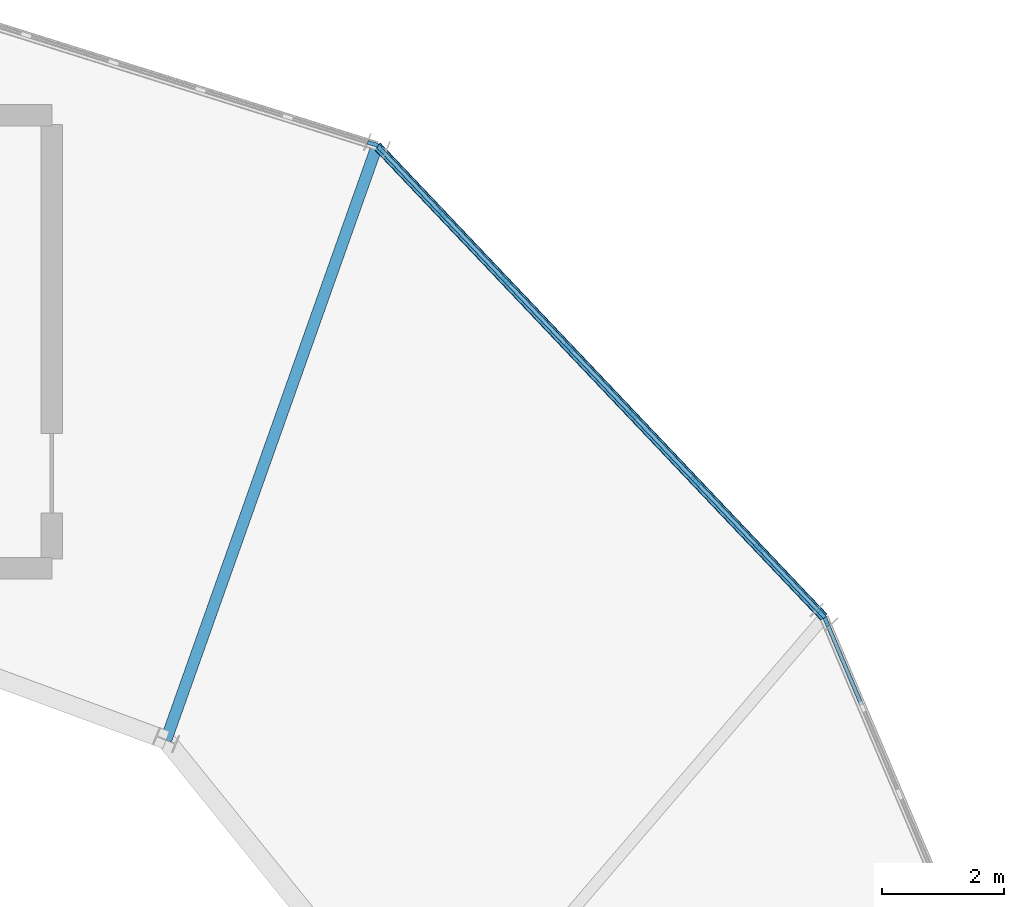
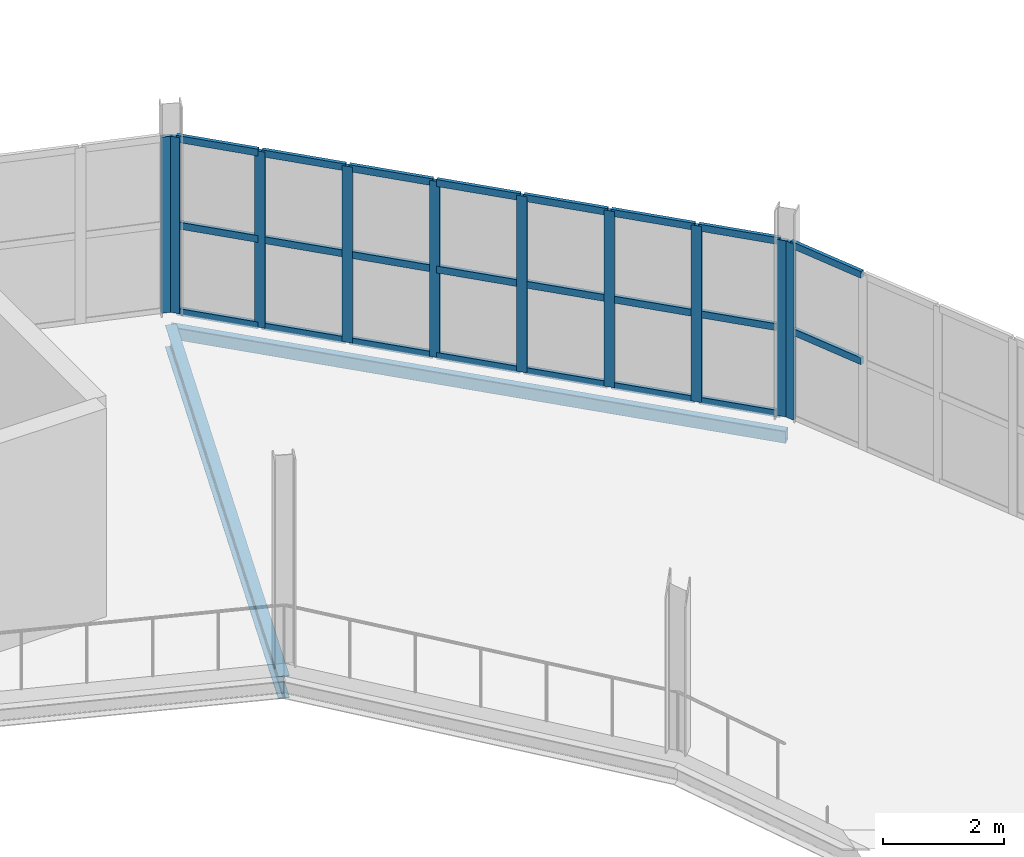
# One storey, part 93 of 161: 33 members, 2 beams, 3 elements without a shape of their own.
"""IFC4 building model written with IfcOpenShell, lengths in metres."""

from ifc_helpers import new_model, si_unit, direction, frame, origin, origin_2d, place, context, subcontext, project, spatial, rectangle, hollow_rectangle, i_section, extrude, material, material_profile, profile_set, type_object, element, aggregate, save


model = new_model("IFC4")

# Units and contexts
model_context = context("Model", 3, precision=1e-05, world=origin(), true_north=direction((0.0, 1.0)))
body_context = subcontext(model_context, "Body", "Model", "MODEL_VIEW")
ifc_project = project(units=[si_unit("LENGTHUNIT", "METRE"), si_unit("AREAUNIT", "SQUARE_METRE"), si_unit("VOLUMEUNIT", "CUBIC_METRE"), si_unit("PLANEANGLEUNIT", "RADIAN"), si_unit("MASSUNIT", "GRAM", prefix="KILO")], contexts=[model_context])

# Site, building, storey
site_placement = place(None, origin())
site = spatial("IfcSite", under=ifc_project, at=site_placement, CompositionType="ELEMENT")
building_placement = place(site_placement, origin())
building = spatial("IfcBuilding", under=site, at=building_placement, Name="Kildeholm Park Wholesale Market", CompositionType="ELEMENT")
storey_placement = place(building_placement, frame((0.0, 0.0, 5.39990234375)))
storey = spatial("IfcBuildingStorey", under=building, at=storey_placement, Name="L01", CompositionType="ELEMENT", Elevation=5.39990234375)

# Beams
ifc_material_1 = material(Name="Steel S355", Category="steel")
ifc_material_profile_1 = material_profile(ifc_material_1, i_section(OverallWidth=0.18994140625, OverallDepth=0.449951171875, WebThickness=0.009521484375, FlangeThickness=0.0146484375, FilletRadius=0.02099609375, at=origin_2d()), Name="IPE 450")
ifc_profile_set_1 = profile_set([ifc_material_profile_1], Name="Steel S355")
beam_type_1 = type_object("IfcBeamType", Name="Beam B-P02 IPE 450", PredefinedType="BEAM", material=ifc_profile_set_1)
beam_1_placement = place(storey_placement, frame((193.166015625, 117.596923828125, -0.48486328125), z_axis=(0.334560005007, 0.942374449489, 0.0), x_axis=(-0.942374449489, 0.334560005007, 0.0)))
element("IfcBeam", 1, at=beam_1_placement, inside=storey, type_object=beam_type_1, Name="Beam BM-V2-L01-R-03 BM-0384", PredefinedType="BEAM", context=body_context, shape_type="SweptSolid", body=[
    extrude(i_section(OverallWidth=0.18994140625, OverallDepth=0.449951171875, WebThickness=0.009521484375, FlangeThickness=0.0146484375, FilletRadius=0.02099609375, at=origin_2d()), origin(), (0.0, 0.0, 1.0), 10.29443359375),
])
ifc_material_profile_2 = material_profile(ifc_material_1, hollow_rectangle(XDim=0.14990234375, YDim=0.25, WallThickness=0.010009765625, InnerFilletRadius=0.010009765625, OuterFilletRadius=0.02001953125, at=origin_2d()), Name="RHS 250x150x10")
ifc_profile_set_2 = profile_set([ifc_material_profile_2], Name="Steel S355")
beam_type_2 = type_object("IfcBeamType", Name="Beam SP-02 RHS 250x150x10", PredefinedType="SPANDREL", material=ifc_profile_set_2)
beam_2_placement = place(storey_placement, frame((203.909912109375, 119.60205078125, -0.385009765625), z_axis=(-0.688182467753, 0.725537656554, 0.0), x_axis=(-0.725537656554, -0.688182467753, 0.0)))
element("IfcBeam", 2, at=beam_2_placement, inside=storey, type_object=beam_type_2, Name="Beam BM-V2-L01-CO-02 BM-0380", PredefinedType="SPANDREL", context=body_context, shape_type="SweptSolid", body=[
    extrude(hollow_rectangle(XDim=0.14990234375, YDim=0.25, WallThickness=0.010009765625, InnerFilletRadius=0.010009765625, OuterFilletRadius=0.02001953125, at=origin_2d()), origin(), (0.0, 0.0, 1.0), 10.607421875),
])

# Curtain wall, member
ifc_material_2 = material(Name="Anodised aluminium and low-E double-glazed glass", Category="aluminium")
curtain_wall_type = type_object("IfcCurtainWallType", Name="Market hall glazed arcade stick curtain wall CW-01", PredefinedType="NOTDEFINED", material=ifc_material_2)
curtain_wall_1_placement = place(storey_placement, origin())
curtain_wall_1 = element("IfcCurtainWall", 3, at=curtain_wall_1_placement, inside=storey, type_object=curtain_wall_type, Name="Curtain wall CW-V2-L01-01 CW-0120", PredefinedType="NOTDEFINED")
ifc_material_3 = material(Name="Anodised aluminium", Category="aluminium")
ifc_material_profile_3 = material_profile(ifc_material_3, rectangle(XDim=0.06494140625, YDim=0.179931640625, at=origin_2d()), Name="CWM 65x180")
ifc_profile_set_3 = profile_set([ifc_material_profile_3], Name="Anodised aluminium")
member_type_1 = type_object("IfcMemberType", Name="Curtain-wall mullion CWM-1 CWM 65x180", PredefinedType="MULLION", material=ifc_profile_set_3)
member_1_placement = place(storey_placement, frame((203.942626953125, 119.541015625, 0.0), z_axis=(0.0, 0.0, 1.0), x_axis=(-0.920855054668, -0.389905076002, 0.0)))
member_1 = element("IfcMember", 4, at=member_1_placement, type_object=member_type_1, Name="CW-01 mullion 9 MEM-3693", PredefinedType="MULLION", context=body_context, shape_type="SweptSolid", body=[
    extrude(rectangle(XDim=0.06494140625, YDim=0.179931640625, at=origin_2d()), origin(), (0.0, 0.0, 1.0), 3.550048828125),
])

# Curtain wall, members
curtain_wall_2_placement = place(storey_placement, origin())
curtain_wall_2 = element("IfcCurtainWall", 5, at=curtain_wall_2_placement, inside=storey, type_object=curtain_wall_type, Name="Curtain wall CW-V2-L01-02 CW-0121", PredefinedType="NOTDEFINED")
member_2_placement = place(storey_placement, frame((203.863525390625, 119.66259765625, 0.0), z_axis=(0.0, 0.0, 1.0), x_axis=(-0.725570701078, -0.688147627866, 0.0)))
member_2 = element("IfcMember", 6, at=member_2_placement, type_object=member_type_1, Name="CW-01 mullion 1 MEM-3718", PredefinedType="MULLION", context=body_context, shape_type="SweptSolid", body=[
    extrude(rectangle(XDim=0.06494140625, YDim=0.179931640625, at=origin_2d()), origin(), (0.0, 0.0, 1.0), 3.550048828125),
])
member_3_placement = place(storey_placement, frame((202.85107421875, 120.730224609375, 0.0), z_axis=(0.0, 0.0, 1.0), x_axis=(-0.725570701078, -0.688147627866, 0.0)))
member_3 = element("IfcMember", 7, at=member_3_placement, type_object=member_type_1, Name="CW-01 mullion 2 MEM-3719", PredefinedType="MULLION", context=body_context, shape_type="SweptSolid", body=[
    extrude(rectangle(XDim=0.06494140625, YDim=0.179931640625, at=origin_2d()), origin(), (0.0, 0.0, 1.0), 3.550048828125),
])
member_4_placement = place(storey_placement, frame((201.81591796875, 121.821533203125, 0.0), z_axis=(0.0, 0.0, 1.0), x_axis=(-0.725570701078, -0.688147627866, 0.0)))
member_4 = element("IfcMember", 8, at=member_4_placement, type_object=member_type_1, Name="CW-01 mullion 3 MEM-3720", PredefinedType="MULLION", context=body_context, shape_type="SweptSolid", body=[
    extrude(rectangle(XDim=0.06494140625, YDim=0.179931640625, at=origin_2d()), origin(), (0.0, 0.0, 1.0), 3.550048828125),
])
member_5_placement = place(storey_placement, frame((200.781005859375, 122.912841796875, 0.0), z_axis=(0.0, 0.0, 1.0), x_axis=(-0.725570701078, -0.688147627866, 0.0)))
member_5 = element("IfcMember", 9, at=member_5_placement, type_object=member_type_1, Name="CW-01 mullion 4 MEM-3721", PredefinedType="MULLION", context=body_context, shape_type="SweptSolid", body=[
    extrude(rectangle(XDim=0.06494140625, YDim=0.179931640625, at=origin_2d()), origin(), (0.0, 0.0, 1.0), 3.550048828125),
])
member_6_placement = place(storey_placement, frame((199.74609375, 124.004150390625, 0.0), z_axis=(0.0, 0.0, 1.0), x_axis=(-0.725570701078, -0.688147627866, 0.0)))
member_6 = element("IfcMember", 10, at=member_6_placement, type_object=member_type_1, Name="CW-01 mullion 5 MEM-3722", PredefinedType="MULLION", context=body_context, shape_type="SweptSolid", body=[
    extrude(rectangle(XDim=0.06494140625, YDim=0.179931640625, at=origin_2d()), origin(), (0.0, 0.0, 1.0), 3.550048828125),
])
member_7_placement = place(storey_placement, frame((198.7109375, 125.095458984375, 0.0), z_axis=(0.0, 0.0, 1.0), x_axis=(-0.725570701078, -0.688147627866, 0.0)))
member_7 = element("IfcMember", 11, at=member_7_placement, type_object=member_type_1, Name="CW-01 mullion 6 MEM-3723", PredefinedType="MULLION", context=body_context, shape_type="SweptSolid", body=[
    extrude(rectangle(XDim=0.06494140625, YDim=0.179931640625, at=origin_2d()), origin(), (0.0, 0.0, 1.0), 3.550048828125),
])
member_8_placement = place(storey_placement, frame((197.676025390625, 126.186767578125, 0.0), z_axis=(0.0, 0.0, 1.0), x_axis=(-0.725570701078, -0.688147627866, 0.0)))
member_8 = element("IfcMember", 12, at=member_8_placement, type_object=member_type_1, Name="CW-01 mullion 7 MEM-3724", PredefinedType="MULLION", context=body_context, shape_type="SweptSolid", body=[
    extrude(rectangle(XDim=0.06494140625, YDim=0.179931640625, at=origin_2d()), origin(), (0.0, 0.0, 1.0), 3.550048828125),
])
member_9_placement = place(storey_placement, frame((196.663330078125, 127.25439453125, 0.0), z_axis=(0.0, 0.0, 1.0), x_axis=(-0.725570701078, -0.688147627866, 0.0)))
member_9 = element("IfcMember", 13, at=member_9_placement, type_object=member_type_1, Name="CW-01 mullion 8 MEM-3725", PredefinedType="MULLION", context=body_context, shape_type="SweptSolid", body=[
    extrude(rectangle(XDim=0.06494140625, YDim=0.179931640625, at=origin_2d()), origin(), (0.0, 0.0, 1.0), 3.550048828125),
])

# Curtain wall, member
curtain_wall_3_placement = place(storey_placement, origin())
curtain_wall_3 = element("IfcCurtainWall", 14, at=curtain_wall_3_placement, inside=storey, type_object=curtain_wall_type, Name="Curtain wall CW-V2-L01-03 CW-0122", PredefinedType="NOTDEFINED")
member_10_placement = place(storey_placement, frame((196.54296875, 127.330810546875, 0.0), z_axis=(0.0, 0.0, 1.0), x_axis=(-0.29947776095, -0.954103280938, 0.0)))
member_10 = element("IfcMember", 15, at=member_10_placement, type_object=member_type_1, Name="CW-01 mullion 1 MEM-3747", PredefinedType="MULLION", context=body_context, shape_type="SweptSolid", body=[
    extrude(rectangle(XDim=0.06494140625, YDim=0.179931640625, at=origin_2d()), origin(), (0.0, 0.0, 1.0), 3.550048828125),
])
aggregate(curtain_wall_3, [member_10])

# Member
ifc_material_profile_4 = material_profile(ifc_material_3, rectangle(XDim=0.06494140625, YDim=0.139892578125, at=origin_2d()), Name="CWT 65x140")
ifc_profile_set_4 = profile_set([ifc_material_profile_4], Name="Anodised aluminium")
member_type_2 = type_object("IfcMemberType", Name="Curtain-wall transom CWT-1 CWT 65x140", PredefinedType="USERDEFINED", material=ifc_profile_set_4)
member_11_placement = place(storey_placement, frame((204.523193359375, 118.17041015625, 1.775146484375), z_axis=(-0.389990019704, 0.920819083497, 0.0), x_axis=(-0.920819083497, -0.389990019704, 0.0)))
member_11 = element("IfcMember", 16, at=member_11_placement, type_object=member_type_2, Name="CW-01 transom 8.2 MEM-3716", ObjectType="TRANSOM", PredefinedType="USERDEFINED", context=body_context, shape_type="SweptSolid", body=[
    extrude(rectangle(XDim=0.06494140625, YDim=0.139892578125, at=origin_2d()), origin(), (0.0, 0.0, 1.0), 1.4560546875),
])

member_12_placement = place(storey_placement, frame((204.523193359375, 118.17041015625, 3.517578125), z_axis=(-0.389990019704, 0.920819083497, 0.0), x_axis=(-0.920819083497, -0.389990019704, 0.0)))
member_12 = element("IfcMember", 17, at=member_12_placement, type_object=member_type_2, Name="CW-01 transom 8.3 MEM-3717", ObjectType="TRANSOM", PredefinedType="USERDEFINED", context=body_context, shape_type="SweptSolid", body=[
    extrude(rectangle(XDim=0.06494140625, YDim=0.139892578125, at=origin_2d()), origin(), (0.0, 0.0, 1.0), 1.4560546875),
])

aggregate(curtain_wall_1, [member_1, member_11, member_12])

member_13_placement = place(storey_placement, frame((203.84130859375, 119.686279296875, 0.03271484375), z_axis=(-0.688201872594, 0.725519250301, 0.0), x_axis=(-0.725519250301, -0.688201872594, 0.0)))
member_13 = element("IfcMember", 18, at=member_13_placement, type_object=member_type_2, Name="CW-01 transom 1.1 MEM-3726", ObjectType="TRANSOM", PredefinedType="USERDEFINED", context=body_context, shape_type="SweptSolid", body=[
    extrude(rectangle(XDim=0.06494140625, YDim=0.139892578125, at=origin_2d()), origin(), (0.0, 0.0, 1.0), 1.406494140625),
])

member_14_placement = place(storey_placement, frame((203.84130859375, 119.686279296875, 1.775146484375), z_axis=(-0.688201872594, 0.725519250301, 0.0), x_axis=(-0.725519250301, -0.688201872594, 0.0)))
member_14 = element("IfcMember", 19, at=member_14_placement, type_object=member_type_2, Name="CW-01 transom 1.2 MEM-3727", ObjectType="TRANSOM", PredefinedType="USERDEFINED", context=body_context, shape_type="SweptSolid", body=[
    extrude(rectangle(XDim=0.06494140625, YDim=0.139892578125, at=origin_2d()), origin(), (0.0, 0.0, 1.0), 1.406494140625),
])

member_15_placement = place(storey_placement, frame((203.84130859375, 119.686279296875, 3.517578125), z_axis=(-0.688201872594, 0.725519250301, 0.0), x_axis=(-0.725519250301, -0.688201872594, 0.0)))
member_15 = element("IfcMember", 20, at=member_15_placement, type_object=member_type_2, Name="CW-01 transom 1.3 MEM-3728", ObjectType="TRANSOM", PredefinedType="USERDEFINED", context=body_context, shape_type="SweptSolid", body=[
    extrude(rectangle(XDim=0.06494140625, YDim=0.139892578125, at=origin_2d()), origin(), (0.0, 0.0, 1.0), 1.406494140625),
])

member_16_placement = place(storey_placement, frame((202.82861328125, 120.75390625, 0.03271484375), z_axis=(-0.688111604376, 0.72560486487, 0.0), x_axis=(-0.72560486487, -0.688111604376, 0.0)))
member_16 = element("IfcMember", 21, at=member_16_placement, type_object=member_type_2, Name="CW-01 transom 2.1 MEM-3729", ObjectType="TRANSOM", PredefinedType="USERDEFINED", context=body_context, shape_type="SweptSolid", body=[
    extrude(rectangle(XDim=0.06494140625, YDim=0.139892578125, at=origin_2d()), origin(), (0.0, 0.0, 1.0), 1.43896484375),
])

member_17_placement = place(storey_placement, frame((202.82861328125, 120.75390625, 1.775146484375), z_axis=(-0.688111604376, 0.72560486487, 0.0), x_axis=(-0.72560486487, -0.688111604376, 0.0)))
member_17 = element("IfcMember", 22, at=member_17_placement, type_object=member_type_2, Name="CW-01 transom 2.2 MEM-3730", ObjectType="TRANSOM", PredefinedType="USERDEFINED", context=body_context, shape_type="SweptSolid", body=[
    extrude(rectangle(XDim=0.06494140625, YDim=0.139892578125, at=origin_2d()), origin(), (0.0, 0.0, 1.0), 1.43896484375),
])

member_18_placement = place(storey_placement, frame((202.82861328125, 120.75390625, 3.517578125), z_axis=(-0.688111604376, 0.72560486487, 0.0), x_axis=(-0.72560486487, -0.688111604376, 0.0)))
member_18 = element("IfcMember", 23, at=member_18_placement, type_object=member_type_2, Name="CW-01 transom 2.3 MEM-3731", ObjectType="TRANSOM", PredefinedType="USERDEFINED", context=body_context, shape_type="SweptSolid", body=[
    extrude(rectangle(XDim=0.06494140625, YDim=0.139892578125, at=origin_2d()), origin(), (0.0, 0.0, 1.0), 1.43896484375),
])

member_19_placement = place(storey_placement, frame((201.793701171875, 121.84521484375, 0.03271484375), z_axis=(-0.688196317251, 0.725524519863, 0.0), x_axis=(-0.725524519863, -0.688196317251, 0.0)))
member_19 = element("IfcMember", 24, at=member_19_placement, type_object=member_type_2, Name="CW-01 transom 3.1 MEM-3732", ObjectType="TRANSOM", PredefinedType="USERDEFINED", context=body_context, shape_type="SweptSolid", body=[
    extrude(rectangle(XDim=0.06494140625, YDim=0.139892578125, at=origin_2d()), origin(), (0.0, 0.0, 1.0), 1.43896484375),
])

member_20_placement = place(storey_placement, frame((201.793701171875, 121.84521484375, 1.775146484375), z_axis=(-0.688196317251, 0.725524519863, 0.0), x_axis=(-0.725524519863, -0.688196317251, 0.0)))
member_20 = element("IfcMember", 25, at=member_20_placement, type_object=member_type_2, Name="CW-01 transom 3.2 MEM-3733", ObjectType="TRANSOM", PredefinedType="USERDEFINED", context=body_context, shape_type="SweptSolid", body=[
    extrude(rectangle(XDim=0.06494140625, YDim=0.139892578125, at=origin_2d()), origin(), (0.0, 0.0, 1.0), 1.43896484375),
])

member_21_placement = place(storey_placement, frame((201.793701171875, 121.84521484375, 3.517578125), z_axis=(-0.688196317251, 0.725524519863, 0.0), x_axis=(-0.725524519863, -0.688196317251, 0.0)))
member_21 = element("IfcMember", 26, at=member_21_placement, type_object=member_type_2, Name="CW-01 transom 3.3 MEM-3734", ObjectType="TRANSOM", PredefinedType="USERDEFINED", context=body_context, shape_type="SweptSolid", body=[
    extrude(rectangle(XDim=0.06494140625, YDim=0.139892578125, at=origin_2d()), origin(), (0.0, 0.0, 1.0), 1.43896484375),
])

member_22_placement = place(storey_placement, frame((200.758544921875, 122.9365234375, 0.03271484375), z_axis=(-0.688196317251, 0.725524519863, 0.0), x_axis=(-0.725524519863, -0.688196317251, 0.0)))
member_22 = element("IfcMember", 27, at=member_22_placement, type_object=member_type_2, Name="CW-01 transom 4.1 MEM-3735", ObjectType="TRANSOM", PredefinedType="USERDEFINED", context=body_context, shape_type="SweptSolid", body=[
    extrude(rectangle(XDim=0.06494140625, YDim=0.139892578125, at=origin_2d()), origin(), (0.0, 0.0, 1.0), 1.43896484375),
])

member_23_placement = place(storey_placement, frame((200.758544921875, 122.9365234375, 1.775146484375), z_axis=(-0.688196317251, 0.725524519863, 0.0), x_axis=(-0.725524519863, -0.688196317251, 0.0)))
member_23 = element("IfcMember", 28, at=member_23_placement, type_object=member_type_2, Name="CW-01 transom 4.2 MEM-3736", ObjectType="TRANSOM", PredefinedType="USERDEFINED", context=body_context, shape_type="SweptSolid", body=[
    extrude(rectangle(XDim=0.06494140625, YDim=0.139892578125, at=origin_2d()), origin(), (0.0, 0.0, 1.0), 1.43896484375),
])

member_24_placement = place(storey_placement, frame((200.758544921875, 122.9365234375, 3.517578125), z_axis=(-0.688196317251, 0.725524519863, 0.0), x_axis=(-0.725524519863, -0.688196317251, 0.0)))
member_24 = element("IfcMember", 29, at=member_24_placement, type_object=member_type_2, Name="CW-01 transom 4.3 MEM-3737", ObjectType="TRANSOM", PredefinedType="USERDEFINED", context=body_context, shape_type="SweptSolid", body=[
    extrude(rectangle(XDim=0.06494140625, YDim=0.139892578125, at=origin_2d()), origin(), (0.0, 0.0, 1.0), 1.43896484375),
])

member_25_placement = place(storey_placement, frame((199.7236328125, 124.02783203125, 0.03271484375), z_axis=(-0.688196317251, 0.725524519863, 0.0), x_axis=(-0.725524519863, -0.688196317251, 0.0)))
member_25 = element("IfcMember", 30, at=member_25_placement, type_object=member_type_2, Name="CW-01 transom 5.1 MEM-3738", ObjectType="TRANSOM", PredefinedType="USERDEFINED", context=body_context, shape_type="SweptSolid", body=[
    extrude(rectangle(XDim=0.06494140625, YDim=0.139892578125, at=origin_2d()), origin(), (0.0, 0.0, 1.0), 1.43896484375),
])

member_26_placement = place(storey_placement, frame((199.7236328125, 124.02783203125, 1.775146484375), z_axis=(-0.688196317251, 0.725524519863, 0.0), x_axis=(-0.725524519863, -0.688196317251, 0.0)))
member_26 = element("IfcMember", 31, at=member_26_placement, type_object=member_type_2, Name="CW-01 transom 5.2 MEM-3739", ObjectType="TRANSOM", PredefinedType="USERDEFINED", context=body_context, shape_type="SweptSolid", body=[
    extrude(rectangle(XDim=0.06494140625, YDim=0.139892578125, at=origin_2d()), origin(), (0.0, 0.0, 1.0), 1.43896484375),
])

member_27_placement = place(storey_placement, frame((199.7236328125, 124.02783203125, 3.517578125), z_axis=(-0.688196317251, 0.725524519863, 0.0), x_axis=(-0.725524519863, -0.688196317251, 0.0)))
member_27 = element("IfcMember", 32, at=member_27_placement, type_object=member_type_2, Name="CW-01 transom 5.3 MEM-3740", ObjectType="TRANSOM", PredefinedType="USERDEFINED", context=body_context, shape_type="SweptSolid", body=[
    extrude(rectangle(XDim=0.06494140625, YDim=0.139892578125, at=origin_2d()), origin(), (0.0, 0.0, 1.0), 1.43896484375),
])

member_28_placement = place(storey_placement, frame((198.688720703125, 125.118896484375, 0.03271484375), z_axis=(-0.688111604376, 0.72560486487, 0.0), x_axis=(-0.72560486487, -0.688111604376, 0.0)))
member_28 = element("IfcMember", 33, at=member_28_placement, type_object=member_type_2, Name="CW-01 transom 6.1 MEM-3741", ObjectType="TRANSOM", PredefinedType="USERDEFINED", context=body_context, shape_type="SweptSolid", body=[
    extrude(rectangle(XDim=0.06494140625, YDim=0.139892578125, at=origin_2d()), origin(), (0.0, 0.0, 1.0), 1.43896484375),
])

member_29_placement = place(storey_placement, frame((198.688720703125, 125.118896484375, 1.775146484375), z_axis=(-0.688111604376, 0.72560486487, 0.0), x_axis=(-0.72560486487, -0.688111604376, 0.0)))
member_29 = element("IfcMember", 34, at=member_29_placement, type_object=member_type_2, Name="CW-01 transom 6.2 MEM-3742", ObjectType="TRANSOM", PredefinedType="USERDEFINED", context=body_context, shape_type="SweptSolid", body=[
    extrude(rectangle(XDim=0.06494140625, YDim=0.139892578125, at=origin_2d()), origin(), (0.0, 0.0, 1.0), 1.43896484375),
])

member_30_placement = place(storey_placement, frame((198.688720703125, 125.118896484375, 3.517578125), z_axis=(-0.688111604376, 0.72560486487, 0.0), x_axis=(-0.72560486487, -0.688111604376, 0.0)))
member_30 = element("IfcMember", 35, at=member_30_placement, type_object=member_type_2, Name="CW-01 transom 6.3 MEM-3743", ObjectType="TRANSOM", PredefinedType="USERDEFINED", context=body_context, shape_type="SweptSolid", body=[
    extrude(rectangle(XDim=0.06494140625, YDim=0.139892578125, at=origin_2d()), origin(), (0.0, 0.0, 1.0), 1.43896484375),
])

member_31_placement = place(storey_placement, frame((197.653564453125, 126.210205078125, 0.03271484375), z_axis=(-0.688023826251, 0.725688097264, 0.0), x_axis=(-0.725688097264, -0.688023826251, 0.0)))
member_31 = element("IfcMember", 36, at=member_31_placement, type_object=member_type_2, Name="CW-01 transom 7.1 MEM-3744", ObjectType="TRANSOM", PredefinedType="USERDEFINED", context=body_context, shape_type="SweptSolid", body=[
    extrude(rectangle(XDim=0.06494140625, YDim=0.139892578125, at=origin_2d()), origin(), (0.0, 0.0, 1.0), 1.406494140625),
])

member_32_placement = place(storey_placement, frame((197.653564453125, 126.210205078125, 1.775146484375), z_axis=(-0.688023826251, 0.725688097264, 0.0), x_axis=(-0.725688097264, -0.688023826251, 0.0)))
member_32 = element("IfcMember", 37, at=member_32_placement, type_object=member_type_2, Name="CW-01 transom 7.2 MEM-3745", ObjectType="TRANSOM", PredefinedType="USERDEFINED", context=body_context, shape_type="SweptSolid", body=[
    extrude(rectangle(XDim=0.06494140625, YDim=0.139892578125, at=origin_2d()), origin(), (0.0, 0.0, 1.0), 1.406494140625),
])

member_33_placement = place(storey_placement, frame((197.653564453125, 126.210205078125, 3.517578125), z_axis=(-0.688023826251, 0.725688097264, 0.0), x_axis=(-0.725688097264, -0.688023826251, 0.0)))
member_33 = element("IfcMember", 38, at=member_33_placement, type_object=member_type_2, Name="CW-01 transom 7.3 MEM-3746", ObjectType="TRANSOM", PredefinedType="USERDEFINED", context=body_context, shape_type="SweptSolid", body=[
    extrude(rectangle(XDim=0.06494140625, YDim=0.139892578125, at=origin_2d()), origin(), (0.0, 0.0, 1.0), 1.406494140625),
])

aggregate(curtain_wall_2, [member_2, member_3, member_4, member_5, member_6, member_7, member_8, member_9, member_13, member_14, member_15, member_16, member_17, member_18, member_19, member_20, member_21, member_22, member_23, member_24, member_25, member_26, member_27, member_28, member_29, member_30, member_31, member_32, member_33])

save(model, "model.ifc")
